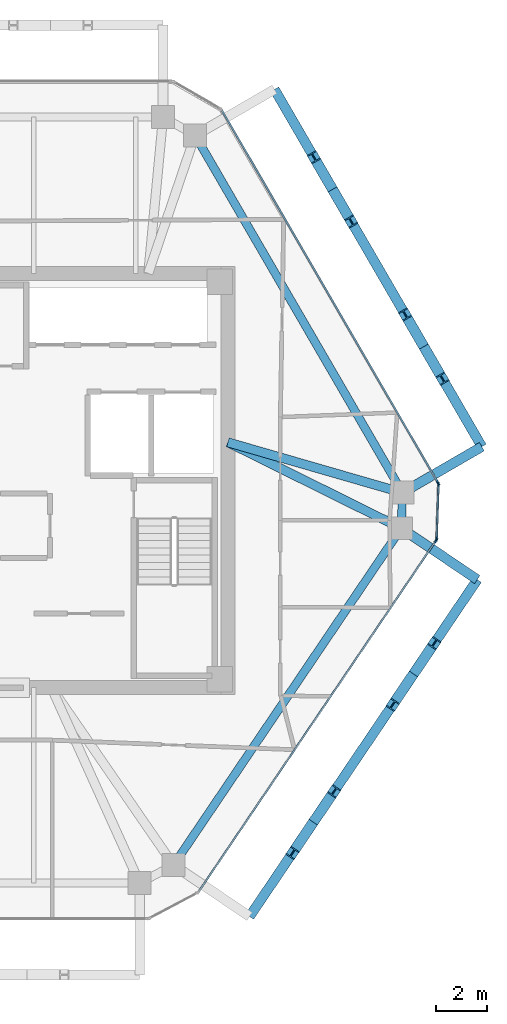
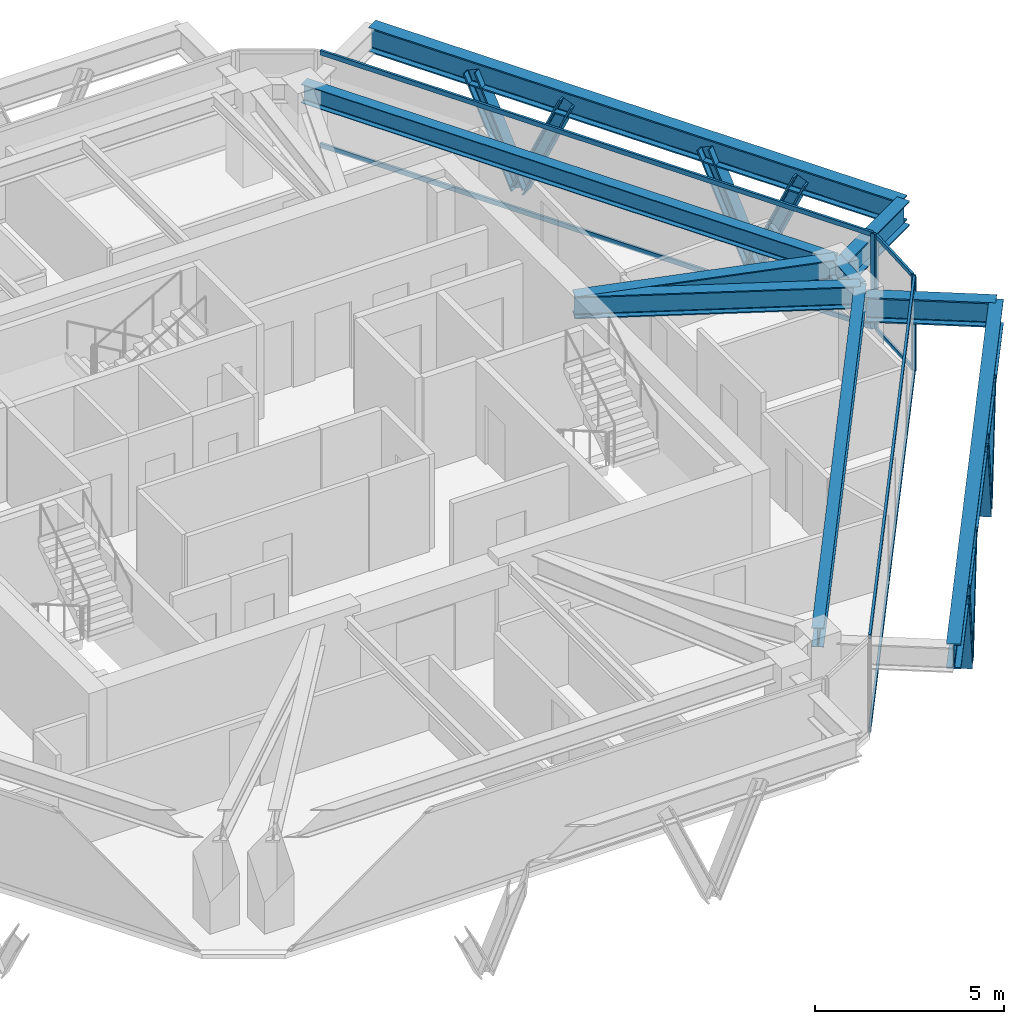
# One storey, part 5 of 11: 18 members, 9 beams, 3 elements without a shape of their own.
"""IFC4 building model written with IfcOpenShell, lengths in metres."""

from ifc_helpers import new_model, si_unit, direction, frame, origin, origin_2d, place, context, subcontext, project, spatial, rectangle, i_section, extrude, source, transform, mapped, material, layer, layer_set, material_profile, profile_set, type_object, type_shapes, element, aggregate, save


model = new_model("IFC4")

# Units and contexts
model_context = context("Model", 3, precision=1e-05, world=origin(), true_north=direction((0.0, 1.0)))
body_context = subcontext(model_context, "Body", "Model", "MODEL_VIEW")
ifc_project = project(units=[si_unit("LENGTHUNIT", "METRE"), si_unit("AREAUNIT", "SQUARE_METRE"), si_unit("VOLUMEUNIT", "CUBIC_METRE"), si_unit("PLANEANGLEUNIT", "RADIAN"), si_unit("MASSUNIT", "GRAM", prefix="KILO")], contexts=[model_context])

# Site, building, storey
site_placement = place(None, origin())
site = spatial("IfcSite", under=ifc_project, at=site_placement, CompositionType="ELEMENT")
building_placement = place(site_placement, origin())
building = spatial("IfcBuilding", under=site, at=building_placement, Name="Durnholm Broadcast Tower", CompositionType="ELEMENT")
storey_placement = place(building_placement, frame((0.0, 0.0, 218.300048828125)))
storey = spatial("IfcBuildingStorey", under=building, at=storey_placement, Name="L60", CompositionType="ELEMENT", Elevation=218.300048828125)

# Beams
ifc_material_1 = material(Name="Steel ASTM A992 Grade 50", Category="steel")
ifc_material_profile_1 = material_profile(ifc_material_1, i_section(OverallWidth=0.385009765625, OverallDepth=0.802978515625, WebThickness=0.023681640625, FlangeThickness=0.0419921875, FilletRadius=0.032958984375, at=origin_2d()), Name="W30X261")
ifc_profile_set_1 = profile_set([ifc_material_profile_1], Name="Steel ASTM A992 Grade 50")
beam_type_1 = type_object("IfcBeamType", Name="BM-EXO-TIE", PredefinedType="USERDEFINED", material=ifc_profile_set_1)
shared_shape_1 = source(origin(), body_context, "Body", "SweptSolid", [
    extrude(i_section(OverallWidth=0.385009765625, OverallDepth=0.802978515625, WebThickness=0.023681640625, FlangeThickness=0.0419921875, FilletRadius=0.032958984375, at=origin_2d()), origin(), (0.0, 0.0, 1.0), 3.4560546875),
])
beam_1_placement = place(storey_placement, frame((17.0947265625, -0.40380859375, 2.30859375), z_axis=(0.864924479231, 0.501902027518, 0.0), x_axis=(-0.501902027518, 0.864924479231, 0.0)))
element("IfcBeam", 1, at=beam_1_placement, inside=storey, type_object=beam_type_1, Name="L60 exoskeleton stand-off tie bracket F3.1", ObjectType="GIRDER", PredefinedType="USERDEFINED", context=body_context, shape_type="MappedRepresentation", body=[
    mapped(shared_shape_1, transform((0.0, 0.0, 0.0), x_axis=(1.0, 0.0, 0.0), y_axis=(0.0, 1.0, 0.0), z_axis=(0.0, 0.0, 1.0), scale=1.0)),
])
shared_shape_2 = source(origin(), body_context, "Body", "SweptSolid", [
    extrude(i_section(OverallWidth=0.385009765625, OverallDepth=0.802978515625, WebThickness=0.023681640625, FlangeThickness=0.0419921875, FilletRadius=0.032958984375, at=origin_2d()), origin(), (0.0, 0.0, 1.0), 3.455810546875),
])
beam_2_placement = place(storey_placement, frame((17.041748046875, -1.95068359375, 2.30859375), z_axis=(0.828446342252, -0.560068440469, 0.0), x_axis=(0.560068440469, 0.828446342252, 0.0)))
element("IfcBeam", 2, at=beam_2_placement, inside=storey, type_object=beam_type_1, Name="L60 exoskeleton stand-off tie bracket F2.2", ObjectType="GIRDER", PredefinedType="USERDEFINED", context=body_context, shape_type="MappedRepresentation", body=[
    mapped(shared_shape_2, transform((0.0, 0.0, 0.0), x_axis=(1.0, 0.0, 0.0), y_axis=(0.0, 1.0, 0.0), z_axis=(0.0, 0.0, 1.0), scale=1.0)),
])
ifc_material_profile_2 = material_profile(ifc_material_1, i_section(OverallWidth=0.3251953125, OverallDepth=0.6162109375, WebThickness=0.013916015625, FlangeThickness=0.021484375, FilletRadius=0.02783203125, at=origin_2d()), Name="W24X117")
ifc_profile_set_2 = profile_set([ifc_material_profile_2], Name="Steel ASTM A992 Grade 50")
beam_type_2 = type_object("IfcBeamType", Name="STL-SP-W24X117", PredefinedType="SPANDREL", material=ifc_profile_set_2)
shared_shape_3 = source(origin(), body_context, "Body", "SweptSolid", [
    extrude(i_section(OverallWidth=0.3251953125, OverallDepth=0.6162109375, WebThickness=0.013916015625, FlangeThickness=0.021484375, FilletRadius=0.02783203125, at=origin_2d()), origin(), (0.0, 0.0, 1.0), 1.39453125),
])
beam_3_placement = place(storey_placement, frame((16.97021484375, -0.47607421875, 2.73681640625), z_axis=(-0.034311541846, -0.999411185697, 0.0), x_axis=(0.999411185697, -0.034311541846, 0.0)))
element("IfcBeam", 3, at=beam_3_placement, inside=storey, type_object=beam_type_2, Name="L60 perimeter spandrel girder 08", PredefinedType="SPANDREL", context=body_context, shape_type="MappedRepresentation", body=[
    mapped(shared_shape_3, transform((0.0, 0.0, 0.0), x_axis=(1.0, 0.0, 0.0), y_axis=(0.0, 1.0, 0.0), z_axis=(0.0, 0.0, 1.0), scale=1.0)),
])
shared_shape_4 = source(origin(), body_context, "Body", "SweptSolid", [
    extrude(i_section(OverallWidth=0.3251953125, OverallDepth=0.6162109375, WebThickness=0.013916015625, FlangeThickness=0.021484375, FilletRadius=0.02783203125, at=origin_2d()), origin(), (0.0, 0.0, 1.0), 15.947265625),
])
beam_4_placement = place(storey_placement, frame((16.92236328125, -1.869873046875, 2.73681640625), z_axis=(-0.560062212489, -0.828450552623, 0.0), x_axis=(0.828450552623, -0.560062212489, 0.0)))
element("IfcBeam", 4, at=beam_4_placement, inside=storey, type_object=beam_type_2, Name="L60 perimeter spandrel girder 09", PredefinedType="SPANDREL", context=body_context, shape_type="MappedRepresentation", body=[
    mapped(shared_shape_4, transform((0.0, 0.0, 0.0), x_axis=(1.0, 0.0, 0.0), y_axis=(0.0, 1.0, 0.0), z_axis=(0.0, 0.0, 1.0), scale=1.0)),
])
shared_shape_5 = source(origin(), body_context, "Body", "SweptSolid", [
    extrude(i_section(OverallWidth=0.3251953125, OverallDepth=0.6162109375, WebThickness=0.013916015625, FlangeThickness=0.021484375, FilletRadius=0.02783203125, at=origin_2d()), origin(), (0.0, 0.0, 1.0), 16.20263671875),
])
type_shapes(beam_type_2, [shared_shape_3, shared_shape_4, shared_shape_5])
beam_5_placement = place(storey_placement, frame((8.83740234375, 13.53759765625, 2.73681640625), z_axis=(0.501943573333, -0.864900369516, 0.0), x_axis=(0.864900369516, 0.501943573333, 0.0)))
element("IfcBeam", 5, at=beam_5_placement, inside=storey, type_object=beam_type_2, Name="L60 perimeter spandrel girder 07", PredefinedType="SPANDREL", context=body_context, shape_type="MappedRepresentation", body=[
    mapped(shared_shape_5, transform((0.0, 0.0, 0.0), x_axis=(1.0, 0.0, 0.0), y_axis=(0.0, 1.0, 0.0), z_axis=(0.0, 0.0, 1.0), scale=1.0)),
])
shared_shape_6 = source(origin(), body_context, "Body", "SweptSolid", [
    extrude(i_section(OverallWidth=0.385009765625, OverallDepth=0.802978515625, WebThickness=0.023681640625, FlangeThickness=0.0419921875, FilletRadius=0.032958984375, at=origin_2d()), origin(), (0.0, 0.0, 1.0), 15.947021484375),
])
beam_6_placement = place(storey_placement, frame((10.973388671875, -17.097412109375, 2.30859375), z_axis=(0.560069315853, 0.828445750451, 0.0), x_axis=(-0.828445750451, 0.560069315853, 0.0)))
element("IfcBeam", 6, at=beam_6_placement, inside=storey, type_object=beam_type_1, Name="L60 exoskeleton collector spandrel F2", PredefinedType="SPANDREL", context=body_context, shape_type="MappedRepresentation", body=[
    mapped(shared_shape_6, transform((0.0, 0.0, 0.0), x_axis=(1.0, 0.0, 0.0), y_axis=(0.0, 1.0, 0.0), z_axis=(0.0, 0.0, 1.0), scale=1.0)),
])
shared_shape_7 = source(origin(), body_context, "Body", "SweptSolid", [
    extrude(i_section(OverallWidth=0.385009765625, OverallDepth=0.802978515625, WebThickness=0.023681640625, FlangeThickness=0.0419921875, FilletRadius=0.032958984375, at=origin_2d()), origin(), (0.0, 0.0, 1.0), 16.202880859375),
])
type_shapes(beam_type_1, [shared_shape_1, shared_shape_2, shared_shape_6, shared_shape_7])
beam_7_placement = place(storey_placement, frame((20.083984375, 1.330810546875, 2.30859375), z_axis=(-0.501948303381, 0.864897624423, 0.0), x_axis=(-0.864897624423, -0.501948303381, 0.0)))
element("IfcBeam", 7, at=beam_7_placement, inside=storey, type_object=beam_type_1, Name="L60 exoskeleton collector spandrel F3", PredefinedType="SPANDREL", context=body_context, shape_type="MappedRepresentation", body=[
    mapped(shared_shape_7, transform((0.0, 0.0, 0.0), x_axis=(1.0, 0.0, 0.0), y_axis=(0.0, 1.0, 0.0), z_axis=(0.0, 0.0, 1.0), scale=1.0)),
])
ifc_material_profile_3 = material_profile(ifc_material_1, i_section(OverallWidth=0.3564453125, OverallDepth=0.713623046875, WebThickness=0.01904296875, FlangeThickness=0.033935546875, FilletRadius=0.030517578125, at=origin_2d()), Name="W27X194")
ifc_profile_set_3 = profile_set([ifc_material_profile_3], Name="Steel ASTM A992 Grade 50")
beam_type_3 = type_object("IfcBeamType", Name="STL-GR-W27X194", PredefinedType="USERDEFINED", material=ifc_profile_set_3)
shared_shape_8 = source(origin(), body_context, "Body", "SweptSolid", [
    extrude(i_section(OverallWidth=0.3564453125, OverallDepth=0.713623046875, WebThickness=0.01904296875, FlangeThickness=0.033935546875, FilletRadius=0.030517578125, at=origin_2d()), origin(), (0.0, 0.0, 1.0), 7.124755859375),
])
beam_8_placement = place(storey_placement, frame((10.125, 1.5, 2.688232421875), z_axis=(0.960767767054, -0.277354101809, 0.0), x_axis=(0.277354101809, 0.960767767054, 0.0)))
element("IfcBeam", 8, at=beam_8_placement, inside=storey, type_object=beam_type_3, Name="L60 radial primary floor girder 08", ObjectType="GIRDER", PredefinedType="USERDEFINED", context=body_context, shape_type="MappedRepresentation", body=[
    mapped(shared_shape_8, transform((0.0, 0.0, 0.0), x_axis=(1.0, 0.0, 0.0), y_axis=(0.0, 1.0, 0.0), z_axis=(0.0, 0.0, 1.0), scale=1.0)),
])
shared_shape_9 = source(origin(), body_context, "Body", "SweptSolid", [
    extrude(i_section(OverallWidth=0.3564453125, OverallDepth=0.713623046875, WebThickness=0.01904296875, FlangeThickness=0.033935546875, FilletRadius=0.030517578125, at=origin_2d()), origin(), (0.0, 0.0, 1.0), 7.5869140625),
])
type_shapes(beam_type_3, [shared_shape_8, shared_shape_9])
beam_9_placement = place(storey_placement, frame((10.125, 1.5, 2.688232421875), z_axis=(0.895940903598, -0.444173273916, 0.0), x_axis=(0.444173273916, 0.895940903598, 0.0)))
element("IfcBeam", 9, at=beam_9_placement, inside=storey, type_object=beam_type_3, Name="L60 radial primary floor girder 09", ObjectType="GIRDER", PredefinedType="USERDEFINED", context=body_context, shape_type="MappedRepresentation", body=[
    mapped(shared_shape_9, transform((0.0, 0.0, 0.0), x_axis=(1.0, 0.0, 0.0), y_axis=(0.0, 1.0, 0.0), z_axis=(0.0, 0.0, 1.0), scale=1.0)),
])

# Members
ifc_material_2 = material(Name="Steel ASTM A913 Grade 65", Category="steel")
ifc_material_profile_4 = material_profile(ifc_material_2, i_section(OverallWidth=0.40625, OverallDepth=0.416015625, WebThickness=0.02978515625, FlangeThickness=0.048095703125, FilletRadius=0.030517578125, at=origin_2d()), Name="W14X257")
ifc_profile_set_4 = profile_set([ifc_material_profile_4], Name="Steel ASTM A913 Grade 65")
member_type_1 = type_object("IfcMemberType", Name="STL-DG-W14X257", PredefinedType="BRACE", material=ifc_profile_set_4)
shared_shape_10 = source(origin(), body_context, "Body", "SweptSolid", [
    extrude(i_section(OverallWidth=0.40625, OverallDepth=0.416015625, WebThickness=0.02978515625, FlangeThickness=0.048095703125, FilletRadius=0.030517578125, at=origin_2d()), origin(), (0.0, 0.0, 1.0), 3.60791015625),
])
type_shapes(member_type_1, [shared_shape_10])
for number, where, z_axis, x_axis, name in (
    (10, (13.47412109375, -13.398193359375, -0.991455078125), (-0.226349134478, -0.334888450383, 0.914667040579), (0.828505003222, -0.559981660089, 0.0), "L60 stand-off diagrid brace F2.D1.1"),
    (11, (13.47412109375, -13.398193359375, -0.991455078125), (0.226354263477, 0.334828369412, 0.914687766641), (-0.828452496411, 0.560059337206, 0.0), "L60 stand-off diagrid brace F2.D1.2"),
    (12, (17.404052734375, -7.585205078125, -0.991455078125), (-0.226349134478, -0.334888450383, 0.914667040579), (0.828505003222, -0.559981660089, 0.0), "L60 stand-off diagrid brace F2.D2.1"),
    (13, (17.404052734375, -7.585205078125, -0.991455078125), (0.226354263477, 0.334828369412, 0.914687766641), (-0.828452496411, 0.560059337206, 0.0), "L60 stand-off diagrid brace F2.D2.2"),
    (14, (17.806640625, 5.2548828125, -0.991455078125), (0.202871189729, -0.349577240207, 0.914679743685), (0.864906184135, 0.501933554014, 0.0), "L60 stand-off diagrid brace F3.D1.1"),
    (15, (17.806640625, 5.2548828125, -0.991455078125), (-0.202871189729, 0.349577240207, 0.914679743685), (-0.864906184135, -0.501933554014, 0.0), "L60 stand-off diagrid brace F3.D1.2"),
    (16, (14.228271484375, 11.4208984375, -0.991455078125), (0.202871189729, -0.349577240207, 0.914679743685), (0.864906184135, 0.501933554014, 0.0), "L60 stand-off diagrid brace F3.D2.1"),
    (17, (14.228271484375, 11.4208984375, -0.991455078125), (-0.202875988452, 0.349517838677, 0.914701379553), (-0.864863994925, -0.502006245263, 0.0), "L60 stand-off diagrid brace F3.D2.2"),
):
    element("IfcMember", number, at=place(storey_placement, frame(where, z_axis=z_axis, x_axis=x_axis)), inside=storey, type_object=member_type_1, Name=name, PredefinedType="BRACE", context=body_context, shape_type="MappedRepresentation", body=[
        mapped(shared_shape_10, transform((0.0, 0.0, 0.0), x_axis=(1.0, 0.0, 0.0), y_axis=(0.0, 1.0, 0.0), z_axis=(0.0, 0.0, 1.0), scale=1.0)),
    ])

# Curtain wall, members
ifc_material_3 = material(Name="Aluminium and Solar Control IGU", Category="aluminium")
ifc_layer_1 = layer(ifc_material_3, 0.1650390625)
ifc_layer_set_1 = layer_set([ifc_layer_1], Name="Aluminium and Solar Control IGU")
curtain_wall_type_1 = type_object("IfcCurtainWallType", Name="CW-SYS-5", PredefinedType="NOTDEFINED", material=ifc_layer_set_1)
curtain_wall_1_placement = place(storey_placement, origin())
curtain_wall_1 = element("IfcCurtainWall", 18, at=curtain_wall_1_placement, inside=storey, type_object=curtain_wall_type_1, Name="L60 curtain wall CW-CORNER CW-L60-CRN-07", PredefinedType="NOTDEFINED")
ifc_material_4 = material(Name="Aluminium 6063-T6", Category="aluminium")
ifc_material_profile_5 = material_profile(ifc_material_4, rectangle(XDim=0.06494140625, YDim=0.1298828125, at=origin_2d()), Name="CWT65X130")
ifc_profile_set_5 = profile_set([ifc_material_profile_5], Name="Aluminium 6063-T6")
member_type_2 = type_object("IfcMemberType", Name="CW-SYS-5-TRN", PredefinedType="USERDEFINED", material=ifc_profile_set_5)
shared_shape_11 = source(origin(), body_context, "Body", "SweptSolid", [
    extrude(rectangle(XDim=0.06494140625, YDim=0.1298828125, at=origin_2d()), origin(), (0.0, 0.0, 1.0), 2.06982421875),
])
type_shapes(member_type_2, [shared_shape_11])
member_1_placement = place(storey_placement, frame((18.381103515625, -0.186767578125, 0.032470703125), z_axis=(-0.034324150719, -0.999410752733, 0.0), x_axis=(0.999410752733, -0.034324150719, 0.0)))
member_1 = element("IfcMember", 19, at=member_1_placement, type_object=member_type_2, Name="CW-CORNER transom 1.1", ObjectType="TRANSOM", PredefinedType="USERDEFINED", context=body_context, shape_type="MappedRepresentation", body=[
    mapped(shared_shape_11, transform((0.0, 0.0, 0.0), x_axis=(1.0, 0.0, 0.0), y_axis=(0.0, 1.0, 0.0), z_axis=(0.0, 0.0, 1.0), scale=1.0)),
])
member_2_placement = place(storey_placement, frame((18.381103515625, -0.186767578125, 3.02734375), z_axis=(-0.034324150719, -0.999410752733, 0.0), x_axis=(0.999410752733, -0.034324150719, 0.0)))
member_2 = element("IfcMember", 20, at=member_2_placement, type_object=member_type_2, Name="CW-CORNER transom 1.2", ObjectType="TRANSOM", PredefinedType="USERDEFINED", context=body_context, shape_type="MappedRepresentation", body=[
    mapped(shared_shape_11, transform((0.0, 0.0, 0.0), x_axis=(1.0, 0.0, 0.0), y_axis=(0.0, 1.0, 0.0), z_axis=(0.0, 0.0, 1.0), scale=1.0)),
])
ifc_material_profile_6 = material_profile(ifc_material_4, rectangle(XDim=0.06494140625, YDim=0.1650390625, at=origin_2d()), Name="CWM65X165")
ifc_profile_set_6 = profile_set([ifc_material_profile_6], Name="Aluminium 6063-T6")
member_type_3 = type_object("IfcMemberType", Name="CW-SYS-5-MUL", PredefinedType="MULLION", material=ifc_profile_set_6)
shared_shape_12 = source(origin(), body_context, "Body", "SweptSolid", [
    extrude(rectangle(XDim=0.06494140625, YDim=0.1650390625, at=origin_2d()), origin(), (0.0, 0.0, 1.0), 3.06005859375),
])
type_shapes(member_type_3, [shared_shape_12])
member_3_placement = place(storey_placement, frame((18.382080078125, -0.154296875, 0.0), z_axis=(0.0, 0.0, 1.0), x_axis=(0.999410955514, -0.034318245849, 0.0)))
member_3 = element("IfcMember", 21, at=member_3_placement, type_object=member_type_3, Name="CW-CORNER mullion 1", PredefinedType="MULLION", context=body_context, shape_type="MappedRepresentation", body=[
    mapped(shared_shape_12, transform((0.0, 0.0, 0.0), x_axis=(1.0, 0.0, 0.0), y_axis=(0.0, 1.0, 0.0), z_axis=(0.0, 0.0, 1.0), scale=1.0)),
])
member_4_placement = place(storey_placement, frame((18.308837890625, -2.287841796875, 0.0), z_axis=(0.0, 0.0, 1.0), x_axis=(0.999410955514, -0.034318245849, 0.0)))
member_4 = element("IfcMember", 22, at=member_4_placement, type_object=member_type_3, Name="CW-CORNER mullion 2", PredefinedType="MULLION", context=body_context, shape_type="MappedRepresentation", body=[
    mapped(shared_shape_12, transform((0.0, 0.0, 0.0), x_axis=(1.0, 0.0, 0.0), y_axis=(0.0, 1.0, 0.0), z_axis=(0.0, 0.0, 1.0), scale=1.0)),
])
aggregate(curtain_wall_1, [member_3, member_4, member_1, member_2])

# Curtain wall, member
ifc_layer_2 = layer(ifc_material_3, 0.18994140625)
ifc_layer_set_2 = layer_set([ifc_layer_2], Name="Aluminium and Solar Control IGU")
curtain_wall_type_2 = type_object("IfcCurtainWallType", Name="CW-SYS-4", PredefinedType="NOTDEFINED", material=ifc_layer_set_2)
curtain_wall_2_placement = place(storey_placement, origin())
curtain_wall_2 = element("IfcCurtainWall", 23, at=curtain_wall_2_placement, inside=storey, type_object=curtain_wall_type_2, Name="L60 curtain wall CW-Z34-VIS CW-L60-F06", PredefinedType="NOTDEFINED")
ifc_material_profile_7 = material_profile(ifc_material_4, rectangle(XDim=0.070068359375, YDim=0.18994140625, at=origin_2d()), Name="CWM70X190")
ifc_profile_set_7 = profile_set([ifc_material_profile_7], Name="Aluminium 6063-T6")
member_type_4 = type_object("IfcMemberType", Name="CW-SYS-4-MUL", PredefinedType="MULLION", material=ifc_profile_set_7)
shared_shape_13 = source(origin(), body_context, "Body", "SweptSolid", [
    extrude(rectangle(XDim=0.070068359375, YDim=0.18994140625, at=origin_2d()), origin(), (0.0, 0.0, 1.0), 3.06005859375),
])
type_shapes(member_type_4, [shared_shape_13])
member_5_placement = place(storey_placement, frame((18.36572265625, -0.09130859375, 0.0), z_axis=(0.0, 0.0, 1.0), x_axis=(0.864899883824, 0.50194441023, 0.0)))
member_5 = element("IfcMember", 24, at=member_5_placement, type_object=member_type_4, Name="CW-Z34-VIS mullion 2", PredefinedType="MULLION", context=body_context, shape_type="MappedRepresentation", body=[
    mapped(shared_shape_13, transform((0.0, 0.0, 0.0), x_axis=(1.0, 0.0, 0.0), y_axis=(0.0, 1.0, 0.0), z_axis=(0.0, 0.0, 1.0), scale=1.0)),
])

# Curtain wall, members
curtain_wall_3_placement = place(storey_placement, origin())
curtain_wall_3 = element("IfcCurtainWall", 25, at=curtain_wall_3_placement, inside=storey, type_object=curtain_wall_type_2, Name="L60 curtain wall CW-Z34-VIS CW-L60-F08", PredefinedType="NOTDEFINED")
member_6_placement = place(storey_placement, frame((18.2880859375, -2.349365234375, 0.0), z_axis=(0.0, 0.0, 1.0), x_axis=(0.828443431662, -0.560072745753, 0.0)))
member_6 = element("IfcMember", 26, at=member_6_placement, type_object=member_type_4, Name="CW-Z34-VIS mullion 1", PredefinedType="MULLION", context=body_context, shape_type="MappedRepresentation", body=[
    mapped(shared_shape_13, transform((0.0, 0.0, 0.0), x_axis=(1.0, 0.0, 0.0), y_axis=(0.0, 1.0, 0.0), z_axis=(0.0, 0.0, 1.0), scale=1.0)),
])
ifc_material_profile_8 = material_profile(ifc_material_4, rectangle(XDim=0.070068359375, YDim=0.14990234375, at=origin_2d()), Name="CWT70X150")
ifc_profile_set_8 = profile_set([ifc_material_profile_8], Name="Aluminium 6063-T6")
member_type_5 = type_object("IfcMemberType", Name="CW-SYS-4-TRN", PredefinedType="USERDEFINED", material=ifc_profile_set_8)
shared_shape_14 = source(origin(), body_context, "Body", "SweptSolid", [
    extrude(rectangle(XDim=0.070068359375, YDim=0.14990234375, at=origin_2d()), origin(), (0.0, 0.0, 1.0), 16.55859375),
])
member_7_placement = place(storey_placement, frame((18.2685546875, -2.37841796875, 0.034912109375), z_axis=(-0.560071338091, -0.828444383317, 0.0), x_axis=(0.828444383317, -0.560071338091, 0.0)))
member_7 = element("IfcMember", 27, at=member_7_placement, type_object=member_type_5, Name="CW-Z34-VIS transom 1.1", ObjectType="TRANSOM", PredefinedType="USERDEFINED", context=body_context, shape_type="MappedRepresentation", body=[
    mapped(shared_shape_14, transform((0.0, 0.0, 0.0), x_axis=(1.0, 0.0, 0.0), y_axis=(0.0, 1.0, 0.0), z_axis=(0.0, 0.0, 1.0), scale=1.0)),
])
member_8_placement = place(storey_placement, frame((18.2685546875, -2.37841796875, 3.02490234375), z_axis=(-0.560071338091, -0.828444383317, 0.0), x_axis=(0.828444383317, -0.560071338091, 0.0)))
member_8 = element("IfcMember", 28, at=member_8_placement, type_object=member_type_5, Name="CW-Z34-VIS transom 1.2", ObjectType="TRANSOM", PredefinedType="USERDEFINED", context=body_context, shape_type="MappedRepresentation", body=[
    mapped(shared_shape_14, transform((0.0, 0.0, 0.0), x_axis=(1.0, 0.0, 0.0), y_axis=(0.0, 1.0, 0.0), z_axis=(0.0, 0.0, 1.0), scale=1.0)),
])
aggregate(curtain_wall_3, [member_6, member_7, member_8])

# Member
shared_shape_15 = source(origin(), body_context, "Body", "SweptSolid", [
    extrude(rectangle(XDim=0.070068359375, YDim=0.14990234375, at=origin_2d()), origin(), (0.0, 0.0, 1.0), 16.83984375),
])
type_shapes(member_type_5, [shared_shape_14, shared_shape_15])
member_9_placement = place(storey_placement, frame((9.8955078125, 14.503662109375, 0.034912109375), z_axis=(0.501945239029, -0.86489940283, 0.0), x_axis=(0.86489940283, 0.501945239029, 0.0)))
member_9 = element("IfcMember", 29, at=member_9_placement, type_object=member_type_5, Name="CW-Z34-VIS transom 1.1", ObjectType="TRANSOM", PredefinedType="USERDEFINED", context=body_context, shape_type="MappedRepresentation", body=[
    mapped(shared_shape_15, transform((0.0, 0.0, 0.0), x_axis=(1.0, 0.0, 0.0), y_axis=(0.0, 1.0, 0.0), z_axis=(0.0, 0.0, 1.0), scale=1.0)),
])

member_10_placement = place(storey_placement, frame((9.8955078125, 14.503662109375, 3.02490234375), z_axis=(0.501945239029, -0.86489940283, 0.0), x_axis=(0.86489940283, 0.501945239029, 0.0)))
member_10 = element("IfcMember", 30, at=member_10_placement, type_object=member_type_5, Name="CW-Z34-VIS transom 1.2", ObjectType="TRANSOM", PredefinedType="USERDEFINED", context=body_context, shape_type="MappedRepresentation", body=[
    mapped(shared_shape_15, transform((0.0, 0.0, 0.0), x_axis=(1.0, 0.0, 0.0), y_axis=(0.0, 1.0, 0.0), z_axis=(0.0, 0.0, 1.0), scale=1.0)),
])

aggregate(curtain_wall_2, [member_5, member_9, member_10])

save(model, "model.ifc")
